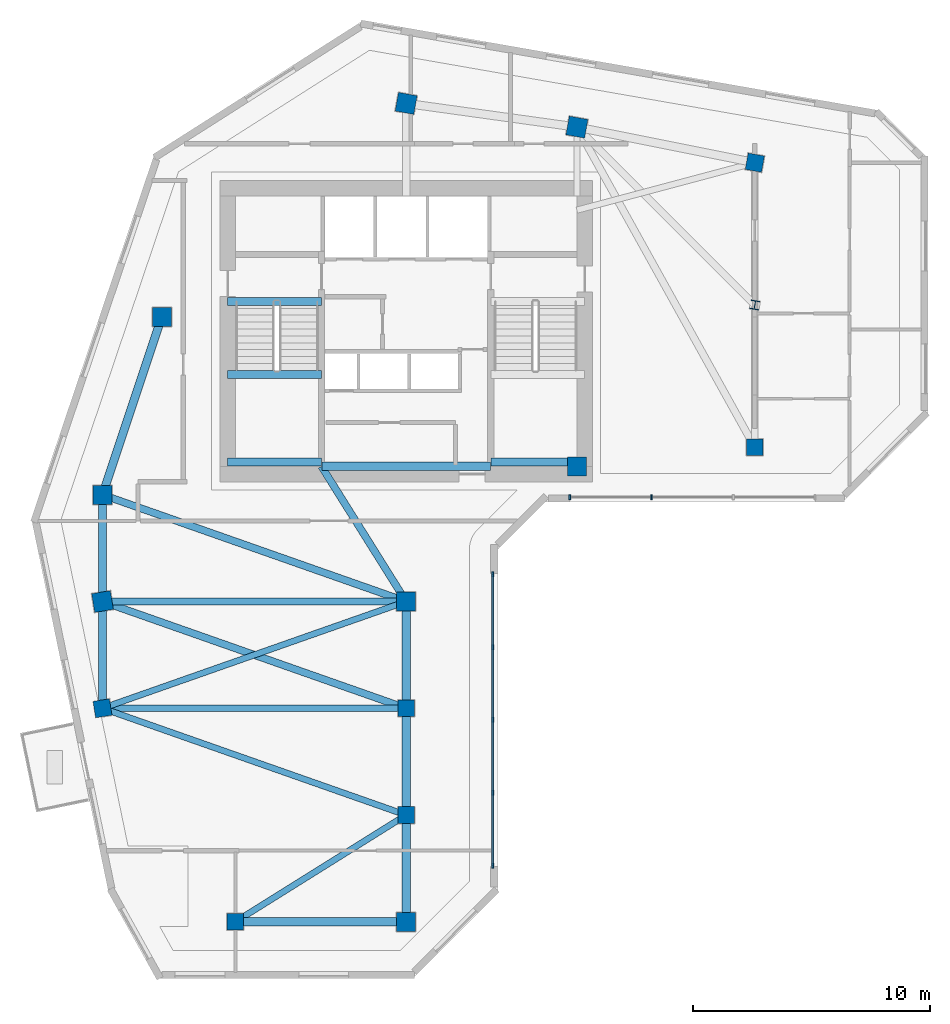
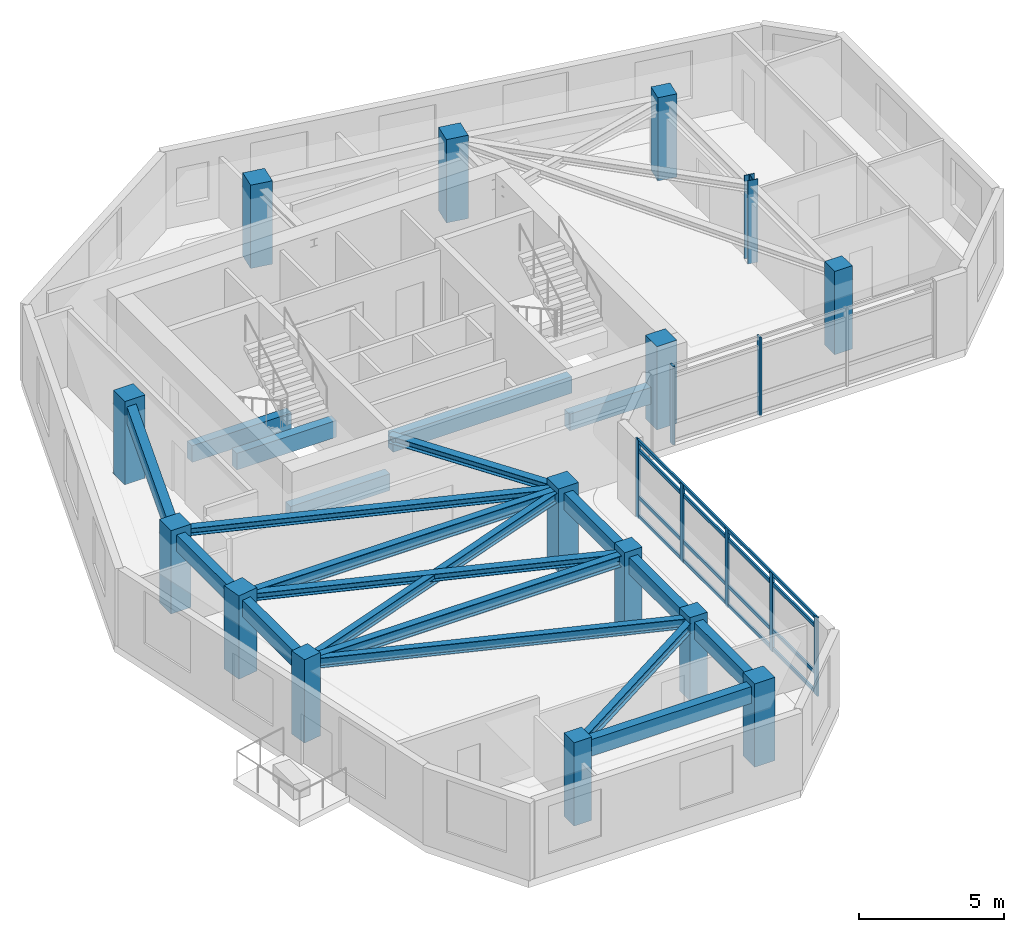
# One storey, part 1 of 9: 20 beams, 15 columns, 11 members, 2 elements without a shape of their own.
"""IFC4 building model written with IfcOpenShell, lengths in metres."""

from ifc_helpers import new_model, si_unit, direction, frame, origin, origin_2d, place, context, subcontext, project, spatial, rectangle, i_section, extrude, source, transform, mapped, material, material_profile, profile_set, type_object, element, aggregate, save


model = new_model("IFC4")

# Units and contexts
model_context = context("Model", 3, precision=1e-05, world=origin(), true_north=direction((0.0, 1.0)))
body_context = subcontext(model_context, "Body", "Model", "MODEL_VIEW")
ifc_project = project(units=[si_unit("LENGTHUNIT", "METRE"), si_unit("AREAUNIT", "SQUARE_METRE"), si_unit("VOLUMEUNIT", "CUBIC_METRE"), si_unit("PLANEANGLEUNIT", "RADIAN"), si_unit("MASSUNIT", "GRAM", prefix="KILO")], contexts=[model_context])

# Site, building, storey
site_placement = place(None, origin())
site = spatial("IfcSite", under=ifc_project, at=site_placement, CompositionType="ELEMENT")
building_placement = place(site_placement, origin())
building = spatial("IfcBuilding", under=site, at=building_placement, Name="Calvemar Wedge Station Tower", CompositionType="ELEMENT")
storey_placement = place(building_placement, frame((0.0, 0.0, 211.39990234375)))
storey = spatial("IfcBuildingStorey", under=building, at=storey_placement, Name="L53", CompositionType="ELEMENT", Elevation=211.39990234375)

# Columns
ifc_material_1 = material(Name="Concrete C50", Category="concrete")
ifc_material_profile_1 = material_profile(ifc_material_1, rectangle(XDim=0.800048828125, YDim=0.800048828125, at=origin_2d()), Name="RC800x800")
ifc_profile_set_1 = profile_set([ifc_material_profile_1], Name="Concrete C50")
column_type_1 = type_object("IfcColumnType", Name="COL-C6-800", PredefinedType="COLUMN", material=ifc_profile_set_1)
shared_shape_1 = source(origin(), body_context, "Body", "SweptSolid", [
    extrude(rectangle(XDim=0.800048828125, YDim=0.800048828125, at=origin_2d()), origin(), (0.0, 0.0, 1.0), 3.5),
])
for number, where, z_axis, x_axis, name in (
    (1, (11.0, 33.0, 0.0), (0.0, 0.0, 1.0), (1.0, 0.0, 0.0), "Storey L53 Column T-NW1"),
    (2, (13.5, 40.5, 0.0), (0.0, 0.0, 1.0), (1.0, 0.0, 0.0), "Storey L53 Column T-NW2"),
    (3, (23.800048828125, 49.5, 0.0), (0.0, 0.0, 1.0), (0.984195607969, -0.17708474032, 0.0), "Storey L53 Column T-N1"),
    (4, (31.0, 48.5, 0.0), (0.0, 0.0, 1.0), (0.984195607969, -0.17708474032, 0.0), "Storey L53 Column T-N2"),
    (5, (31.0, 34.199951171875, 0.0), (0.0, 0.0, 1.0), (1.0, 0.0, 0.0), "Storey L53 Column T-NL1"),
    (6, (11.0, 28.5, 0.0), (0.0, 0.0, 1.0), (0.158158067254, -0.987413806751, 0.0), "Storey L53 Column T-SW1"),
    (7, (23.800048828125, 28.5, 0.0), (0.0, 0.0, 1.0), (1.0, 0.0, 0.0), "Storey L53 Column T-SE1"),
    (8, (23.800048828125, 15.0, 0.0), (0.0, 0.0, 1.0), (1.0, 0.0, 0.0), "Storey L53 Column T-SE4"),
):
    element("IfcColumn", number, at=place(storey_placement, frame(where, z_axis=z_axis, x_axis=x_axis)), inside=storey, type_object=column_type_1, Name=name, PredefinedType="COLUMN", context=body_context, shape_type="MappedRepresentation", body=[
        mapped(shared_shape_1, transform((0.0, 0.0, 0.0), scale=1.0)),
    ])
ifc_material_profile_2 = material_profile(ifc_material_1, rectangle(XDim=0.699951171875, YDim=0.699951171875, at=origin_2d()), Name="RC700x700")
ifc_profile_set_2 = profile_set([ifc_material_profile_2], Name="Concrete C50")
column_type_2 = type_object("IfcColumnType", Name="COL-C7-700", PredefinedType="COLUMN", material=ifc_profile_set_2)
shared_shape_2 = source(origin(), body_context, "Body", "SweptSolid", [
    extrude(rectangle(XDim=0.699951171875, YDim=0.699951171875, at=origin_2d()), origin(), (0.0, 0.0, 1.0), 3.5),
])
for number, where, z_axis, x_axis, name in (
    (9, (38.5, 47.0, 0.0), (0.0, 0.0, 1.0), (0.984195607969, -0.17708474032, 0.0), "Storey L53 Column T-NU3"),
    (10, (38.5, 35.0, 0.0), (0.0, 0.0, 1.0), (1.0, 0.0, 0.0), "Storey L53 Column T-NL2"),
    (11, (11.0, 24.0, 0.0), (0.0, 0.0, 1.0), (0.158158067254, -0.987413806751, 0.0), "Storey L53 Column T-SW2"),
    (12, (23.800048828125, 24.0, 0.0), (0.0, 0.0, 1.0), (1.0, 0.0, 0.0), "Storey L53 Column T-SE2"),
    (13, (23.800048828125, 19.5, 0.0), (0.0, 0.0, 1.0), (1.0, 0.0, 0.0), "Storey L53 Column T-SE3"),
    (14, (16.60009765625, 15.0, 0.0), (0.0, 0.0, 1.0), (1.0, 0.0, 0.0), "Storey L53 Column T-SM1"),
):
    element("IfcColumn", number, at=place(storey_placement, frame(where, z_axis=z_axis, x_axis=x_axis)), inside=storey, type_object=column_type_2, Name=name, PredefinedType="COLUMN", context=body_context, shape_type="MappedRepresentation", body=[
        mapped(shared_shape_2, transform((0.0, 0.0, 0.0), scale=1.0)),
    ])
ifc_material_2 = material(Name="Structural steel ASTM A572 Grade 50", Category="steel")
ifc_material_profile_3 = material_profile(ifc_material_2, i_section(OverallWidth=0.3740234375, OverallDepth=0.3720703125, WebThickness=0.016357421875, FlangeThickness=0.026123046875, FilletRadius=0.014892578125, at=origin_2d()), Name="W360x196")
ifc_profile_set_3 = profile_set([ifc_material_profile_3], Name="Structural steel ASTM A572 Grade 50")
column_type_3 = type_object("IfcColumnType", Name="COL-STL-W360", PredefinedType="COLUMN", material=ifc_profile_set_3)
shared_shape_3 = source(origin(), body_context, "Body", "SweptSolid", [
    extrude(i_section(OverallWidth=0.3740234375, OverallDepth=0.3720703125, WebThickness=0.016357421875, FlangeThickness=0.026123046875, FilletRadius=0.014892578125, at=origin_2d()), origin(), (0.0, 0.0, 1.0), 3.5),
])
column_placement = place(storey_placement, frame((38.5, 41.0, 0.0), z_axis=(0.0, 0.0, 1.0), x_axis=(0.984195607969, -0.17708474032, 0.0)))
element("IfcColumn", 15, at=column_placement, inside=storey, type_object=column_type_3, Name="Storey L53 Column T-NTIP-B", PredefinedType="COLUMN", context=body_context, shape_type="MappedRepresentation", body=[
    mapped(shared_shape_3, transform((0.0, 0.0, 0.0), scale=1.0)),
])

# Beams
ifc_material_3 = material(Name="Concrete C70", Category="concrete")
ifc_material_profile_4 = material_profile(ifc_material_3, rectangle(XDim=0.35009765625, YDim=0.699951171875, at=origin_2d()), Name="RC350x700")
ifc_profile_set_4 = profile_set([ifc_material_profile_4], Name="Concrete C70")
beam_type_1 = type_object("IfcBeamType", Name="BM-LN1-700", PredefinedType="LINTEL", material=ifc_profile_set_4)
shared_shape_4 = source(origin(), body_context, "Body", "SweptSolid", [
    extrude(rectangle(XDim=0.35009765625, YDim=0.699951171875, at=origin_2d()), origin(), (0.0, 0.0, 1.0), 7.10009765625),
])
beam_1_placement = place(storey_placement, frame((20.25, 34.199951171875, 2.900146484375), z_axis=(1.0, 0.0, 0.0), x_axis=(0.0, 1.0, 0.0)))
element("IfcBeam", 16, at=beam_1_placement, inside=storey, type_object=beam_type_1, Name="Storey L53 Core Coupling Lintel South", PredefinedType="LINTEL", context=body_context, shape_type="MappedRepresentation", body=[
    mapped(shared_shape_4, transform((0.0, 0.0, 0.0), scale=1.0)),
])
ifc_material_profile_5 = material_profile(ifc_material_2, i_section(OverallWidth=0.304931640625, OverallDepth=0.30810546875, WebThickness=0.010009765625, FlangeThickness=0.015380859375, FilletRadius=0.014892578125, at=origin_2d()), Name="W310x97")
ifc_profile_set_5 = profile_set([ifc_material_profile_5], Name="Structural steel ASTM A572 Grade 50")
beam_type_2 = type_object("IfcBeamType", Name="BM-J6-W310", PredefinedType="JOIST", material=ifc_profile_set_5)
shared_shape_5 = source(origin(), body_context, "Body", "SweptSolid", [
    extrude(i_section(OverallWidth=0.304931640625, OverallDepth=0.30810546875, WebThickness=0.010009765625, FlangeThickness=0.015380859375, FilletRadius=0.014892578125, at=origin_2d()), origin(), (0.0, 0.0, 1.0), 13.568115234375),
])
for number, where, z_axis, x_axis, name in (
    (17, (11.0, 33.0, 3.09619140625), (0.943398221169, -0.331662171939, 0.0), (0.331662171939, 0.943398221169, 0.0), "Storey L53 Floor Beam T-NW1-T-SE1"),
    (18, (11.0, 28.5, 3.09619140625), (0.943398221169, -0.331662171939, 0.0), (0.331662171939, 0.943398221169, 0.0), "Storey L53 Floor Beam T-SW1-T-SE2"),
):
    element("IfcBeam", number, at=place(storey_placement, frame(where, z_axis=z_axis, x_axis=x_axis)), inside=storey, type_object=beam_type_2, Name=name, PredefinedType="JOIST", context=body_context, shape_type="MappedRepresentation", body=[
        mapped(shared_shape_5, transform((0.0, 0.0, 0.0), scale=1.0)),
    ])
ifc_material_profile_6 = material_profile(ifc_material_2, i_section(OverallWidth=0.260986328125, OverallDepth=0.419921875, WebThickness=0.01171875, FlangeThickness=0.019287109375, FilletRadius=0.012939453125, at=origin_2d()), Name="W410x114")
ifc_profile_set_6 = profile_set([ifc_material_profile_6], Name="Structural steel ASTM A572 Grade 50")
beam_type_3 = type_object("IfcBeamType", Name="BM-J2-W410H", PredefinedType="JOIST", material=ifc_profile_set_6)
shared_shape_6 = source(origin(), body_context, "Body", "SweptSolid", [
    extrude(i_section(OverallWidth=0.260986328125, OverallDepth=0.419921875, WebThickness=0.01171875, FlangeThickness=0.019287109375, FilletRadius=0.012939453125, at=origin_2d()), origin(), (0.0, 0.0, 1.0), 13.568115234375),
])
for number, where, z_axis, x_axis, name in (
    (19, (23.800048828125, 28.5, 3.0400390625), (-0.943398221169, -0.331662171939, 0.0), (0.331662171939, -0.943398221169, 0.0), "Storey L53 Floor Beam T-SE1-T-SW2"),
    (20, (11.0, 24.0, 3.0400390625), (0.943398221169, -0.331662171939, 0.0), (0.331662171939, 0.943398221169, 0.0), "Storey L53 Floor Beam T-SW2-T-SE3"),
):
    element("IfcBeam", number, at=place(storey_placement, frame(where, z_axis=z_axis, x_axis=x_axis)), inside=storey, type_object=beam_type_3, Name=name, PredefinedType="JOIST", context=body_context, shape_type="MappedRepresentation", body=[
        mapped(shared_shape_6, transform((0.0, 0.0, 0.0), scale=1.0)),
    ])
shared_shape_7 = source(origin(), body_context, "Body", "SweptSolid", [
    extrude(i_section(OverallWidth=0.260986328125, OverallDepth=0.419921875, WebThickness=0.01171875, FlangeThickness=0.019287109375, FilletRadius=0.012939453125, at=origin_2d()), origin(), (0.0, 0.0, 1.0), 8.490478515625),
])
beam_2_placement = place(storey_placement, frame((23.800048828125, 19.5, 3.0400390625), z_axis=(-0.847996688584, -0.530001524668, 0.0), x_axis=(0.530001524668, -0.847996688584, 0.0)))
element("IfcBeam", 21, at=beam_2_placement, inside=storey, type_object=beam_type_3, Name="Storey L53 Floor Beam T-SE3-T-SM1", PredefinedType="JOIST", context=body_context, shape_type="MappedRepresentation", body=[
    mapped(shared_shape_7, transform((0.0, 0.0, 0.0), scale=1.0)),
])
shared_shape_8 = source(origin(), body_context, "Body", "SweptSolid", [
    extrude(i_section(OverallWidth=0.304931640625, OverallDepth=0.30810546875, WebThickness=0.010009765625, FlangeThickness=0.015380859375, FilletRadius=0.014892578125, at=origin_2d()), origin(), (0.0, 0.0, 1.0), 6.7255859375),
])
beam_3_placement = place(storey_placement, frame((20.22998046875, 34.199951171875, 3.09619140625), z_axis=(0.530811158438, -0.847490126242, 0.0), x_axis=(0.847490126242, 0.530811158438, 0.0)))
element("IfcBeam", 22, at=beam_3_placement, inside=storey, type_object=beam_type_2, Name="Storey L53 Core-to-Column Joist CJ-S2", PredefinedType="JOIST", context=body_context, shape_type="MappedRepresentation", body=[
    mapped(shared_shape_8, transform((0.0, 0.0, 0.0), scale=1.0)),
])
shared_shape_9 = source(origin(), body_context, "Body", "SweptSolid", [
    extrude(rectangle(XDim=0.35009765625, YDim=0.699951171875, at=origin_2d()), origin(), (0.0, 0.0, 1.0), 3.955078125),
])
for number, where, z_axis, x_axis, name in (
    (23, (16.27490234375, 41.14990234375, -0.349853515625), (1.0, 0.0, 0.0), (0.0, 1.0, 0.0), "Storey L53 Stair ST-C1 Landing Trimmer Beam"),
    (24, (16.27490234375, 34.3798828125, 1.2001953125), (1.0, 0.0, 0.0), (0.0, 1.0, 0.0), "Storey L53 Stair ST-C1 Half-Landing Beam 1A"),
    (25, (16.27490234375, 38.070068359375, 1.2001953125), (1.0, 0.0, 0.0), (0.0, 1.0, 0.0), "Storey L53 Stair ST-C1 Half-Landing Beam 1B"),
):
    element("IfcBeam", number, at=place(storey_placement, frame(where, z_axis=z_axis, x_axis=x_axis)), inside=storey, type_object=beam_type_1, Name=name, PredefinedType="LINTEL", context=body_context, shape_type="MappedRepresentation", body=[
        mapped(shared_shape_9, transform((0.0, 0.0, 0.0), scale=1.0)),
    ])
shared_shape_10 = source(origin(), body_context, "Body", "SweptSolid", [
    extrude(rectangle(XDim=0.35009765625, YDim=0.699951171875, at=origin_2d()), origin(), (0.0, 0.0, 1.0), 3.954833984375),
])
beam_4_placement = place(storey_placement, frame((27.3701171875, 34.3798828125, 1.2001953125), z_axis=(1.0, 0.0, 0.0), x_axis=(0.0, 1.0, 0.0)))
element("IfcBeam", 26, at=beam_4_placement, inside=storey, type_object=beam_type_1, Name="Storey L53 Stair ST-C2 Half-Landing Beam 1A", PredefinedType="LINTEL", context=body_context, shape_type="MappedRepresentation", body=[
    mapped(shared_shape_10, transform((0.0, 0.0, 0.0), scale=1.0)),
])
ifc_material_profile_7 = material_profile(ifc_material_1, rectangle(XDim=0.35009765625, YDim=0.699951171875, at=origin_2d()), Name="RC350x700")
ifc_profile_set_7 = profile_set([ifc_material_profile_7], Name="Concrete C50")
beam_type_4 = type_object("IfcBeamType", Name="BM-SP2-700", PredefinedType="SPANDREL", material=ifc_profile_set_7)
shared_shape_11 = source(origin(), body_context, "Body", "SweptSolid", [
    extrude(rectangle(XDim=0.35009765625, YDim=0.699951171875, at=origin_2d()), origin(), (0.0, 0.0, 1.0), 7.90576171875),
])
beam_5_placement = place(storey_placement, frame((11.0, 33.0, 2.900146484375), z_axis=(0.316227766017, 0.948683298051, 0.0), x_axis=(-0.948683298051, 0.316227766017, 0.0)))
element("IfcBeam", 27, at=beam_5_placement, inside=storey, type_object=beam_type_4, Name="Storey L53 Spandrel T-NW1-T-NW2", PredefinedType="SPANDREL", context=body_context, shape_type="MappedRepresentation", body=[
    mapped(shared_shape_11, transform((0.0, 0.0, 0.0), scale=1.0)),
])
shared_shape_12 = source(origin(), body_context, "Body", "SweptSolid", [
    extrude(rectangle(XDim=0.35009765625, YDim=0.699951171875, at=origin_2d()), origin(), (0.0, 0.0, 1.0), 4.5),
])
for number, where, z_axis, x_axis, name in (
    (28, (11.0, 33.0, 2.900146484375), (0.0, -1.0, 0.0), (1.0, 0.0, 0.0), "Storey L53 Spandrel T-NW1-T-SW1"),
    (29, (11.0, 28.5, 2.900146484375), (0.0, -1.0, 0.0), (1.0, 0.0, 0.0), "Storey L53 Spandrel T-SW1-T-SW2"),
    (30, (23.800048828125, 28.5, 2.900146484375), (0.0, -1.0, 0.0), (1.0, 0.0, 0.0), "Storey L53 Spandrel T-SE1-T-SE2"),
    (31, (23.800048828125, 24.0, 2.900146484375), (0.0, -1.0, 0.0), (1.0, 0.0, 0.0), "Storey L53 Spandrel T-SE2-T-SE3"),
    (32, (23.800048828125, 19.5, 2.900146484375), (0.0, -1.0, 0.0), (1.0, 0.0, 0.0), "Storey L53 Spandrel T-SE3-T-SE4"),
):
    element("IfcBeam", number, at=place(storey_placement, frame(where, z_axis=z_axis, x_axis=x_axis)), inside=storey, type_object=beam_type_4, Name=name, PredefinedType="SPANDREL", context=body_context, shape_type="MappedRepresentation", body=[
        mapped(shared_shape_12, transform((0.0, 0.0, 0.0), scale=1.0)),
    ])
shared_shape_13 = source(origin(), body_context, "Body", "SweptSolid", [
    extrude(rectangle(XDim=0.35009765625, YDim=0.699951171875, at=origin_2d()), origin(), (0.0, 0.0, 1.0), 7.199951171875),
])
beam_6_placement = place(storey_placement, frame((16.60009765625, 15.0, 2.900146484375), z_axis=(1.0, 0.0, 0.0), x_axis=(0.0, 1.0, 0.0)))
element("IfcBeam", 33, at=beam_6_placement, inside=storey, type_object=beam_type_4, Name="Storey L53 Spandrel T-SM1-T-SE4", PredefinedType="SPANDREL", context=body_context, shape_type="MappedRepresentation", body=[
    mapped(shared_shape_13, transform((0.0, 0.0, 0.0), scale=1.0)),
])
ifc_material_profile_8 = material_profile(ifc_material_2, i_section(OverallWidth=0.283935546875, OverallDepth=0.47607421875, WebThickness=0.014892578125, FlangeThickness=0.02392578125, FilletRadius=0.014892578125, at=origin_2d()), Name="W460x158")
ifc_profile_set_8 = profile_set([ifc_material_profile_8], Name="Structural steel ASTM A572 Grade 50")
beam_type_5 = type_object("IfcBeamType", Name="BM-SB5-W460H", PredefinedType="BEAM", material=ifc_profile_set_8)
shared_shape_14 = source(origin(), body_context, "Body", "SweptSolid", [
    extrude(i_section(OverallWidth=0.283935546875, OverallDepth=0.47607421875, WebThickness=0.014892578125, FlangeThickness=0.02392578125, FilletRadius=0.014892578125, at=origin_2d()), origin(), (0.0, 0.0, 1.0), 12.800048828125),
])
for number, where, z_axis, x_axis, name in (
    (34, (11.0, 28.5, 3.01220703125), (1.0, 0.0, 0.0), (0.0, 1.0, 0.0), "Storey L53 Floor Beam T-SW1-T-SE1"),
    (35, (11.0, 24.0, 3.01220703125), (1.0, 0.0, 0.0), (0.0, 1.0, 0.0), "Storey L53 Floor Beam T-SW2-T-SE2"),
):
    element("IfcBeam", number, at=place(storey_placement, frame(where, z_axis=z_axis, x_axis=x_axis)), inside=storey, type_object=beam_type_5, Name=name, PredefinedType="BEAM", context=body_context, shape_type="MappedRepresentation", body=[
        mapped(shared_shape_14, transform((0.0, 0.0, 0.0), scale=1.0)),
    ])

# Curtain wall, members
ifc_material_4 = material(Name="Anodised aluminium 6063-T6", Category="aluminium")
curtain_wall_type = type_object("IfcCurtainWallType", Name="CW3", PredefinedType="NOTDEFINED", material=ifc_material_4)
curtain_wall_1_placement = place(storey_placement, origin())
curtain_wall_1 = element("IfcCurtainWall", 36, at=curtain_wall_1_placement, inside=storey, type_object=curtain_wall_type, Name="Storey L53 CW3 Recessed Unitised Curtain Wall 4", PredefinedType="NOTDEFINED")
ifc_material_profile_9 = material_profile(ifc_material_4, rectangle(XDim=0.074951171875, YDim=0.2099609375, at=origin_2d()), Name="AL-MUL-75x210")
ifc_profile_set_9 = profile_set([ifc_material_profile_9], Name="Anodised aluminium 6063-T6")
member_type_1 = type_object("IfcMemberType", Name="CW3-MUL", PredefinedType="MULLION", material=ifc_profile_set_9)
shared_shape_15 = source(origin(), body_context, "Body", "SweptSolid", [
    extrude(rectangle(XDim=0.074951171875, YDim=0.2099609375, at=origin_2d()), origin(), (0.0, 0.0, 1.0), 3.2998046875),
])
member_1_placement = place(storey_placement, frame((27.4541015625, 17.362060546875, -0.0498046875), z_axis=(0.0, 0.0, 1.0), x_axis=(1.0, 0.0, 0.0)))
member_1 = element("IfcMember", 37, at=member_1_placement, type_object=member_type_1, Name="CW3 mullion 1", PredefinedType="MULLION", context=body_context, shape_type="MappedRepresentation", body=[
    mapped(shared_shape_15, transform((0.0, 0.0, 0.0), scale=1.0)),
])
member_2_placement = place(storey_placement, frame((27.4541015625, 20.43505859375, -0.0498046875), z_axis=(0.0, 0.0, 1.0), x_axis=(1.0, 0.0, 0.0)))
member_2 = element("IfcMember", 38, at=member_2_placement, type_object=member_type_1, Name="CW3 mullion 2", PredefinedType="MULLION", context=body_context, shape_type="MappedRepresentation", body=[
    mapped(shared_shape_15, transform((0.0, 0.0, 0.0), scale=1.0)),
])
member_3_placement = place(storey_placement, frame((27.4541015625, 23.508056640625, -0.0498046875), z_axis=(0.0, 0.0, 1.0), x_axis=(1.0, 0.0, 0.0)))
member_3 = element("IfcMember", 39, at=member_3_placement, type_object=member_type_1, Name="CW3 mullion 3", PredefinedType="MULLION", context=body_context, shape_type="MappedRepresentation", body=[
    mapped(shared_shape_15, transform((0.0, 0.0, 0.0), scale=1.0)),
])
member_4_placement = place(storey_placement, frame((27.4541015625, 26.5810546875, -0.0498046875), z_axis=(0.0, 0.0, 1.0), x_axis=(1.0, 0.0, 0.0)))
member_4 = element("IfcMember", 40, at=member_4_placement, type_object=member_type_1, Name="CW3 mullion 4", PredefinedType="MULLION", context=body_context, shape_type="MappedRepresentation", body=[
    mapped(shared_shape_15, transform((0.0, 0.0, 0.0), scale=1.0)),
])
member_5_placement = place(storey_placement, frame((27.4541015625, 29.654052734375, -0.0498046875), z_axis=(0.0, 0.0, 1.0), x_axis=(1.0, 0.0, 0.0)))
member_5 = element("IfcMember", 41, at=member_5_placement, type_object=member_type_1, Name="CW3 mullion 5", PredefinedType="MULLION", context=body_context, shape_type="MappedRepresentation", body=[
    mapped(shared_shape_15, transform((0.0, 0.0, 0.0), scale=1.0)),
])

curtain_wall_2_placement = place(storey_placement, origin())
curtain_wall_2 = element("IfcCurtainWall", 42, at=curtain_wall_2_placement, inside=storey, type_object=curtain_wall_type, Name="Storey L53 CW3 Recessed Unitised Curtain Wall 6", PredefinedType="NOTDEFINED")
member_6_placement = place(storey_placement, frame((30.701904296875, 32.902099609375, -0.0498046875), z_axis=(0.0, 0.0, 1.0), x_axis=(1.0, 0.0, 0.0)))
member_6 = element("IfcMember", 43, at=member_6_placement, type_object=member_type_1, Name="CW3 mullion 1", PredefinedType="MULLION", context=body_context, shape_type="MappedRepresentation", body=[
    mapped(shared_shape_15, transform((0.0, 0.0, 0.0), scale=1.0)),
])
member_7_placement = place(storey_placement, frame((34.147216796875, 32.902099609375, -0.0498046875), z_axis=(0.0, 0.0, 1.0), x_axis=(1.0, 0.0, 0.0)))
member_7 = element("IfcMember", 44, at=member_7_placement, type_object=member_type_1, Name="CW3 mullion 2", PredefinedType="MULLION", context=body_context, shape_type="MappedRepresentation", body=[
    mapped(shared_shape_15, transform((0.0, 0.0, 0.0), scale=1.0)),
])
aggregate(curtain_wall_2, [member_6, member_7])

# Member
ifc_material_profile_10 = material_profile(ifc_material_4, rectangle(XDim=0.074951171875, YDim=0.14501953125, at=origin_2d()), Name="AL-TRN-75x145")
ifc_profile_set_10 = profile_set([ifc_material_profile_10], Name="Anodised aluminium 6063-T6")
member_type_2 = type_object("IfcMemberType", Name="CW3-TRN", PredefinedType="USERDEFINED", material=ifc_profile_set_10)
shared_shape_16 = source(origin(), body_context, "Body", "SweptSolid", [
    extrude(rectangle(XDim=0.074951171875, YDim=0.14501953125, at=origin_2d()), origin(), (0.0, 0.0, 1.0), 12.2919921875),
])
member_8_placement = place(storey_placement, frame((27.4541015625, 17.362060546875, 0.06005859375), z_axis=(0.0, 1.0, 0.0), x_axis=(-1.0, 0.0, 0.0)))
member_8 = element("IfcMember", 45, at=member_8_placement, type_object=member_type_2, Name="CW3 transom 1", ObjectType="TRANSOM", PredefinedType="USERDEFINED", context=body_context, shape_type="MappedRepresentation", body=[
    mapped(shared_shape_16, transform((0.0, 0.0, 0.0), scale=1.0)),
])

member_9_placement = place(storey_placement, frame((27.4541015625, 17.362060546875, 0.85009765625), z_axis=(0.0, 1.0, 0.0), x_axis=(-1.0, 0.0, 0.0)))
member_9 = element("IfcMember", 46, at=member_9_placement, type_object=member_type_2, Name="CW3 transom 2", ObjectType="TRANSOM", PredefinedType="USERDEFINED", context=body_context, shape_type="MappedRepresentation", body=[
    mapped(shared_shape_16, transform((0.0, 0.0, 0.0), scale=1.0)),
])

member_10_placement = place(storey_placement, frame((27.4541015625, 17.362060546875, 2.800048828125), z_axis=(0.0, 1.0, 0.0), x_axis=(-1.0, 0.0, 0.0)))
member_10 = element("IfcMember", 47, at=member_10_placement, type_object=member_type_2, Name="CW3 transom 3", ObjectType="TRANSOM", PredefinedType="USERDEFINED", context=body_context, shape_type="MappedRepresentation", body=[
    mapped(shared_shape_16, transform((0.0, 0.0, 0.0), scale=1.0)),
])

member_11_placement = place(storey_placement, frame((27.4541015625, 17.362060546875, 3.190185546875), z_axis=(0.0, 1.0, 0.0), x_axis=(-1.0, 0.0, 0.0)))
member_11 = element("IfcMember", 48, at=member_11_placement, type_object=member_type_2, Name="CW3 transom 4", ObjectType="TRANSOM", PredefinedType="USERDEFINED", context=body_context, shape_type="MappedRepresentation", body=[
    mapped(shared_shape_16, transform((0.0, 0.0, 0.0), scale=1.0)),
])

aggregate(curtain_wall_1, [member_1, member_2, member_3, member_4, member_5, member_8, member_9, member_10, member_11])

save(model, "model.ifc")
